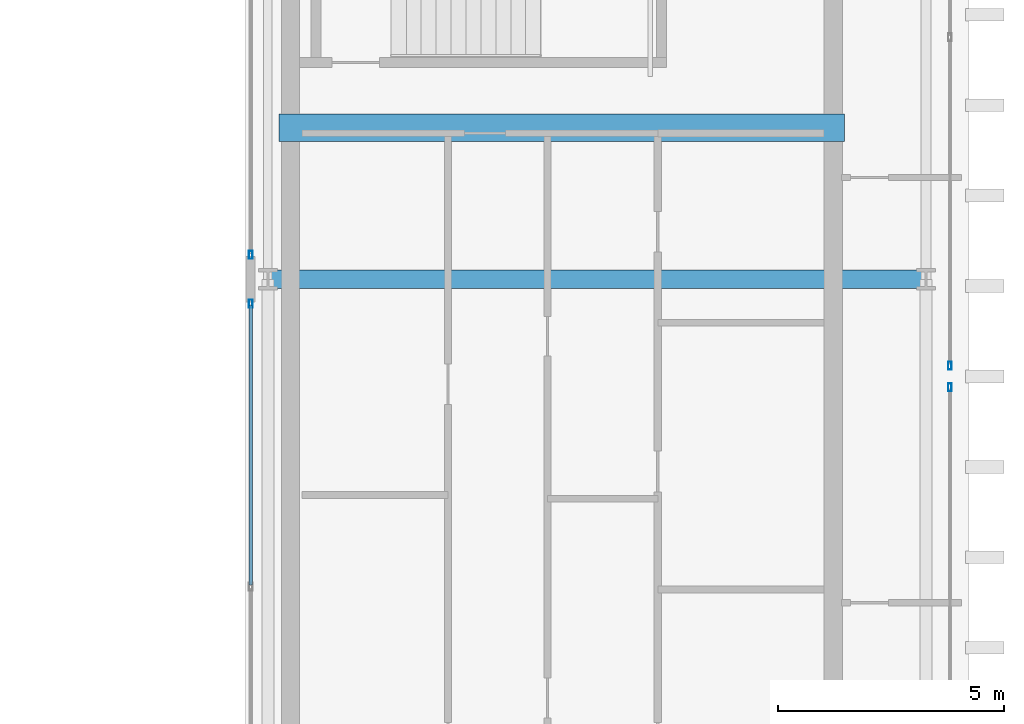
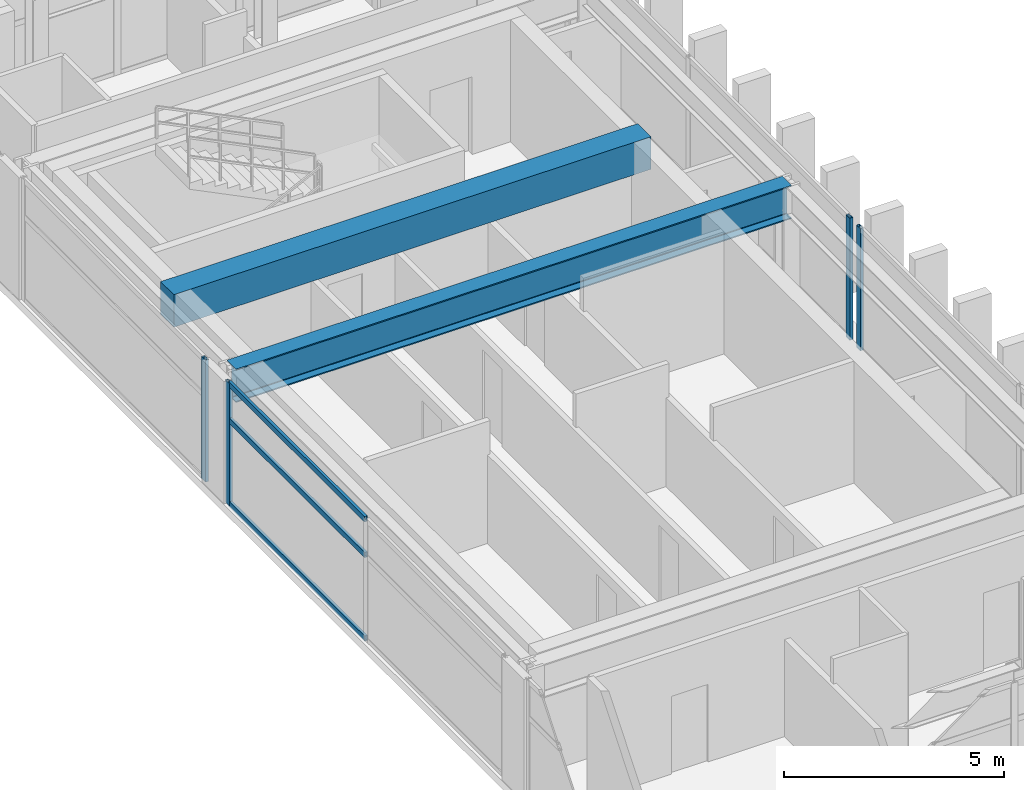
# One storey, part 11 of 25: 7 members, 2 beams, 4 elements without a shape of their own.
"""IFC4 building model written with IfcOpenShell, lengths in metres."""

from ifc_helpers import new_model, si_unit, direction, frame, origin, origin_2d, place, context, subcontext, project, spatial, rectangle, hollow_rectangle, i_section, extrude, source, transform, mapped, material, layer, layer_set, material_profile, profile_set, type_object, element, aggregate, save


model = new_model("IFC4")

# Units and contexts
model_context = context("Model", 3, precision=1e-05, world=origin(), true_north=direction((0.0, 1.0)))
body_context = subcontext(model_context, "Body", "Model", "MODEL_VIEW")
ifc_project = project(units=[si_unit("LENGTHUNIT", "METRE"), si_unit("AREAUNIT", "SQUARE_METRE"), si_unit("VOLUMEUNIT", "CUBIC_METRE"), si_unit("PLANEANGLEUNIT", "RADIAN"), si_unit("MASSUNIT", "GRAM", prefix="KILO")], contexts=[model_context])

# Site, building, storey
site_placement = place(None, origin())
site = spatial("IfcSite", under=ifc_project, at=site_placement, CompositionType="ELEMENT")
building_placement = place(site_placement, origin())
building = spatial("IfcBuilding", under=site, at=building_placement, Name="Ocotamira Hotel", CompositionType="ELEMENT")
storey_placement = place(building_placement, frame((0.0, 0.0, 261.60009765625)))
storey = spatial("IfcBuildingStorey", under=building, at=storey_placement, Name="L66", CompositionType="ELEMENT", Elevation=261.60009765625)

# Beams
ifc_material_1 = material(Name="Concrete C50/60", Category="concrete")
ifc_material_profile_1 = material_profile(ifc_material_1, rectangle(XDim=0.60009765625, YDim=0.89990234375, at=origin_2d()), Name="RC600X900")
ifc_profile_set_1 = profile_set([ifc_material_profile_1], Name="Concrete C50/60")
beam_type_1 = type_object("IfcBeamType", Name="BM-LINK-RC600", PredefinedType="LINTEL", material=ifc_profile_set_1)
shared_shape_1 = source(origin(), body_context, "Body", "SweptSolid", [
    extrude(rectangle(XDim=0.60009765625, YDim=0.89990234375, at=origin_2d()), origin(), (0.0, 0.0, 1.0), 12.5),
])
beam_1_placement = place(storey_placement, frame((40.75, 31.5, 2.929931640625), z_axis=(1.0, 0.0, 0.0), x_axis=(0.0, 1.0, 0.0)))
element("IfcBeam", 1, at=beam_1_placement, inside=storey, type_object=beam_type_1, Name="L66 East Core Coupling Beam", PredefinedType="LINTEL", context=body_context, shape_type="MappedRepresentation", body=[
    mapped(shared_shape_1, transform((0.0, 0.0, 0.0), scale=1.0)),
])
ifc_material_2 = material(Name="Steel ASTM A992 Grade 50", Category="steel")
ifc_material_profile_2 = material_profile(ifc_material_2, i_section(OverallWidth=0.41796875, OverallDepth=0.927001953125, WebThickness=0.019287109375, FlangeThickness=0.031982421875, FilletRadius=0.02392578125, at=origin_2d()), Name="W36X231")
ifc_profile_set_2 = profile_set([ifc_material_profile_2], Name="Steel ASTM A992 Grade 50")
beam_type_2 = type_object("IfcBeamType", Name="BM-GIRD-W36X231", PredefinedType="BEAM", material=ifc_profile_set_2)
shared_shape_2 = source(origin(), body_context, "Body", "SweptSolid", [
    extrude(i_section(OverallWidth=0.41796875, OverallDepth=0.927001953125, WebThickness=0.019287109375, FlangeThickness=0.031982421875, FilletRadius=0.02392578125, at=origin_2d()), origin(), (0.0, 0.0, 1.0), 14.550048828125),
])
beam_2_placement = place(storey_placement, frame((40.5, 28.14990234375, 2.91650390625), z_axis=(1.0, 0.0, 0.0), x_axis=(0.0, 1.0, 0.0)))
element("IfcBeam", 2, at=beam_2_placement, inside=storey, type_object=beam_type_2, Name="L66 Girder Y28.15 X40.5-55.05", PredefinedType="BEAM", context=body_context, shape_type="MappedRepresentation", body=[
    mapped(shared_shape_2, transform((0.0, 0.0, 0.0), scale=1.0)),
])

# Curtain wall, member
ifc_material_3 = material(Name="Anodised pale-metal aluminium and solar glass", Category="aluminium")
ifc_layer = layer(ifc_material_3, 0.2099609375)
ifc_layer_set = layer_set([ifc_layer], Name="Anodised pale-metal aluminium and solar glass")
curtain_wall_type = type_object("IfcCurtainWallType", Name="CW-SYS7-PEAK", PredefinedType="NOTDEFINED", material=ifc_layer_set)
curtain_wall_1_placement = place(storey_placement, origin())
curtain_wall_1 = element("IfcCurtainWall", 3, at=curtain_wall_1_placement, inside=storey, type_object=curtain_wall_type, Name="L66 Curtain Wall CW-7 CW-L66-EO1", PredefinedType="NOTDEFINED")
ifc_material_4 = material(Name="Anodised pale-metal aluminium 6063-T6", Category="aluminium")
ifc_material_profile_3 = material_profile(ifc_material_4, hollow_rectangle(XDim=0.080078125, YDim=0.179931640625, WallThickness=0.006103515625, at=origin_2d()), Name="HSS180X80X6")
ifc_profile_set_3 = profile_set([ifc_material_profile_3], Name="Anodised pale-metal aluminium 6063-T6")
member_type_1 = type_object("IfcMemberType", Name="CWM-180X75", PredefinedType="MULLION", material=ifc_profile_set_3)
shared_shape_3 = source(origin(), body_context, "Body", "SweptSolid", [
    extrude(hollow_rectangle(XDim=0.080078125, YDim=0.179931640625, WallThickness=0.006103515625, at=origin_2d()), origin(), (0.0, 0.0, 1.0), 3.3798828125),
])
member_1_placement = place(storey_placement, frame((55.580078125, 25.760009765625, 0.0), z_axis=(0.0, 0.0, 1.0), x_axis=(-1.0, 0.0, 0.0)))
member_1 = element("IfcMember", 4, at=member_1_placement, type_object=member_type_1, Name="CW-7 mullion 3", PredefinedType="MULLION", context=body_context, shape_type="MappedRepresentation", body=[
    mapped(shared_shape_3, transform((0.0, 0.0, 0.0), scale=1.0)),
])
aggregate(curtain_wall_1, [member_1])

curtain_wall_2_placement = place(storey_placement, origin())
curtain_wall_2 = element("IfcCurtainWall", 5, at=curtain_wall_2_placement, inside=storey, type_object=curtain_wall_type, Name="L66 Curtain Wall CW-7 CW-L66-EO2", PredefinedType="NOTDEFINED")
member_2_placement = place(storey_placement, frame((55.580078125, 26.239990234375, 0.0), z_axis=(0.0, 0.0, 1.0), x_axis=(-1.0, 0.0, 0.0)))
member_2 = element("IfcMember", 6, at=member_2_placement, type_object=member_type_1, Name="CW-7 mullion 1", PredefinedType="MULLION", context=body_context, shape_type="MappedRepresentation", body=[
    mapped(shared_shape_3, transform((0.0, 0.0, 0.0), scale=1.0)),
])
aggregate(curtain_wall_2, [member_2])

curtain_wall_3_placement = place(storey_placement, origin())
curtain_wall_3 = element("IfcCurtainWall", 7, at=curtain_wall_3_placement, inside=storey, type_object=curtain_wall_type, Name="L66 Curtain Wall CW-7 CW-L66-EI2", PredefinedType="NOTDEFINED")
member_3_placement = place(storey_placement, frame((40.1201171875, 27.610107421875, 0.0), z_axis=(0.0, 0.0, 1.0), x_axis=(-1.0, 0.0, 0.0)))
member_3 = element("IfcMember", 8, at=member_3_placement, type_object=member_type_1, Name="CW-7 mullion 3", PredefinedType="MULLION", context=body_context, shape_type="MappedRepresentation", body=[
    mapped(shared_shape_3, transform((0.0, 0.0, 0.0), scale=1.0)),
])

curtain_wall_4_placement = place(storey_placement, origin())
curtain_wall_4 = element("IfcCurtainWall", 9, at=curtain_wall_4_placement, inside=storey, type_object=curtain_wall_type, Name="L66 Curtain Wall CW-7 CW-L66-EI3", PredefinedType="NOTDEFINED")
member_4_placement = place(storey_placement, frame((40.1201171875, 28.68994140625, 0.0), z_axis=(0.0, 0.0, 1.0), x_axis=(-1.0, 0.0, 0.0)))
member_4 = element("IfcMember", 10, at=member_4_placement, type_object=member_type_1, Name="CW-7 mullion 1", PredefinedType="MULLION", context=body_context, shape_type="MappedRepresentation", body=[
    mapped(shared_shape_3, transform((0.0, 0.0, 0.0), scale=1.0)),
])
aggregate(curtain_wall_4, [member_4])

# Member
ifc_material_profile_4 = material_profile(ifc_material_4, hollow_rectangle(XDim=0.074951171875, YDim=0.14990234375, WallThickness=0.006103515625, at=origin_2d()), Name="HSS150X75X6")
ifc_profile_set_4 = profile_set([ifc_material_profile_4], Name="Anodised pale-metal aluminium 6063-T6")
member_type_2 = type_object("IfcMemberType", Name="CWT-150X75", PredefinedType="USERDEFINED", material=ifc_profile_set_4)
shared_shape_4 = source(origin(), body_context, "Body", "SweptSolid", [
    extrude(hollow_rectangle(XDim=0.074951171875, YDim=0.14990234375, WallThickness=0.006103515625, at=origin_2d()), origin(), (0.0, 0.0, 1.0), 6.18017578125),
])
member_5_placement = place(storey_placement, frame((40.1201171875, 21.389892578125, 0.037353515625), z_axis=(0.0, 1.0, 0.0), x_axis=(-1.0, 0.0, 0.0)))
member_5 = element("IfcMember", 11, at=member_5_placement, type_object=member_type_2, Name="CW-7 transom 2.1", ObjectType="TRANSOM", PredefinedType="USERDEFINED", context=body_context, shape_type="MappedRepresentation", body=[
    mapped(shared_shape_4, transform((0.0, 0.0, 0.0), scale=1.0)),
])

member_6_placement = place(storey_placement, frame((40.1201171875, 21.389892578125, 2.349853515625), z_axis=(0.0, 1.0, 0.0), x_axis=(-1.0, 0.0, 0.0)))
member_6 = element("IfcMember", 12, at=member_6_placement, type_object=member_type_2, Name="CW-7 transom 2.2", ObjectType="TRANSOM", PredefinedType="USERDEFINED", context=body_context, shape_type="MappedRepresentation", body=[
    mapped(shared_shape_4, transform((0.0, 0.0, 0.0), scale=1.0)),
])

member_7_placement = place(storey_placement, frame((40.1201171875, 21.389892578125, 3.34228515625), z_axis=(0.0, 1.0, 0.0), x_axis=(-1.0, 0.0, 0.0)))
member_7 = element("IfcMember", 13, at=member_7_placement, type_object=member_type_2, Name="CW-7 transom 2.3", ObjectType="TRANSOM", PredefinedType="USERDEFINED", context=body_context, shape_type="MappedRepresentation", body=[
    mapped(shared_shape_4, transform((0.0, 0.0, 0.0), scale=1.0)),
])

aggregate(curtain_wall_3, [member_3, member_5, member_6, member_7])

save(model, "model.ifc")
